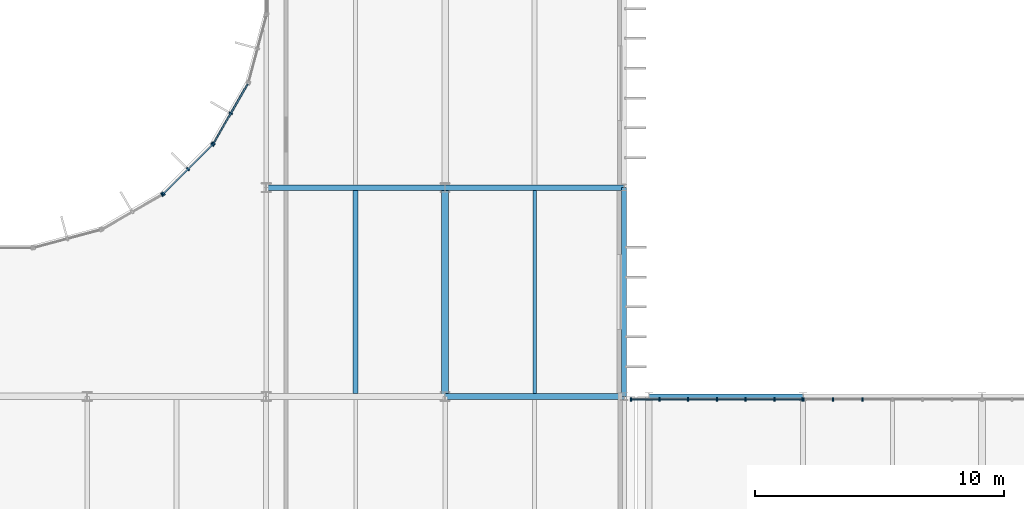
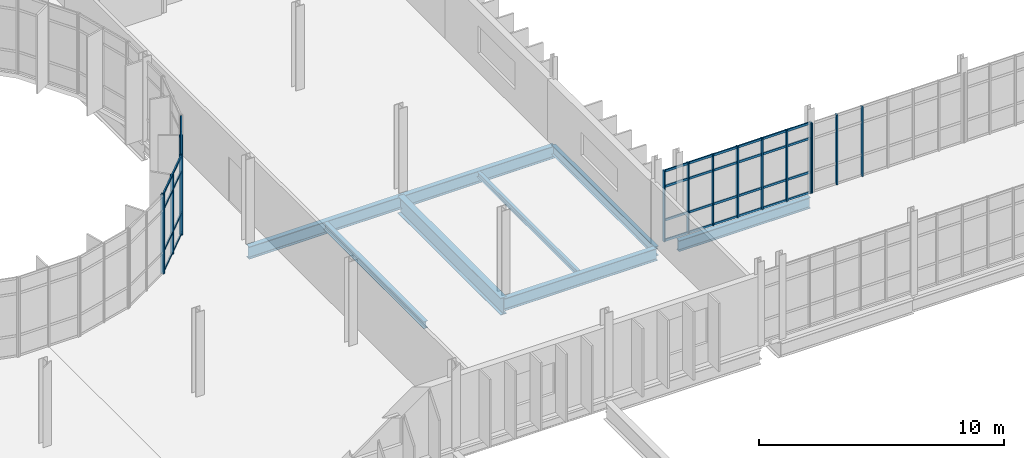
# One storey, part 47 of 119: 28 members, 8 beams, 5 elements without a shape of their own.
"""IFC4 building model written with IfcOpenShell, lengths in metres."""

from ifc_helpers import new_model, si_unit, direction, frame, origin, origin_2d, place, context, subcontext, project, spatial, rectangle, i_section, extrude, material, material_profile, profile_set, type_object, element, aggregate, save


model = new_model("IFC4")

# Units and contexts
model_context = context("Model", 3, precision=1e-05, world=origin(), true_north=direction((0.0, 1.0)))
body_context = subcontext(model_context, "Body", "Model", "MODEL_VIEW")
ifc_project = project(units=[si_unit("LENGTHUNIT", "METRE"), si_unit("AREAUNIT", "SQUARE_METRE"), si_unit("VOLUMEUNIT", "CUBIC_METRE"), si_unit("PLANEANGLEUNIT", "RADIAN"), si_unit("MASSUNIT", "GRAM", prefix="KILO")], contexts=[model_context])

# Site, building, storey
site_placement = place(None, origin())
site = spatial("IfcSite", under=ifc_project, at=site_placement, CompositionType="ELEMENT")
building_placement = place(site_placement, origin())
building = spatial("IfcBuilding", under=site, at=building_placement, Name="Qelthora Terrace Specialist Clinic", CompositionType="ELEMENT")
storey_placement = place(building_placement, frame((0.0, 0.0, 4.800048828125)))
storey = spatial("IfcBuildingStorey", under=building, at=storey_placement, Name="L01", CompositionType="ELEMENT", Elevation=4.800048828125)

# Beams
ifc_material_1 = material(Name="Steel S355", Category="steel")
ifc_material_profile_1 = material_profile(ifc_material_1, i_section(OverallWidth=0.193115234375, OverallDepth=0.466064453125, WebThickness=0.011474609375, FlangeThickness=0.01904296875, FilletRadius=0.012939453125, at=origin_2d()), Name="W460X97")
ifc_profile_set_1 = profile_set([ifc_material_profile_1], Name="Steel S355")
beam_type_1 = type_object("IfcBeamType", Name="BM-W460X97", PredefinedType="BEAM", material=ifc_profile_set_1)
beam_1_placement = place(storey_placement, frame((50.39990234375, 67.199951171875, -0.483154296875), z_axis=(0.0, 1.0, 0.0), x_axis=(-1.0, 0.0, 0.0)))
element("IfcBeam", 1, at=beam_1_placement, inside=storey, type_object=beam_type_1, Name="Girder BMY-L01-0417", PredefinedType="BEAM", context=body_context, shape_type="SweptSolid", body=[
    extrude(i_section(OverallWidth=0.193115234375, OverallDepth=0.466064453125, WebThickness=0.011474609375, FlangeThickness=0.01904296875, FilletRadius=0.012939453125, at=origin_2d()), origin(), (0.0, 0.0, 1.0), 8.400146484375),
])
ifc_material_profile_2 = material_profile(ifc_material_1, i_section(OverallWidth=0.2119140625, OverallDepth=0.5439453125, WebThickness=0.01318359375, FlangeThickness=0.021240234375, FilletRadius=0.013916015625, at=origin_2d()), Name="W530X123")
ifc_profile_set_2 = profile_set([ifc_material_profile_2], Name="Steel S355")
beam_type_2 = type_object("IfcBeamType", Name="BM-W530X123", PredefinedType="BEAM", material=ifc_profile_set_2)
beam_2_placement = place(storey_placement, frame((51.39990234375, 67.199951171875, -0.52197265625), z_axis=(1.0, 0.0, 0.0), x_axis=(0.0, 1.0, 0.0)))
element("IfcBeam", 2, at=beam_2_placement, inside=storey, type_object=beam_type_2, Name="Girder BMX-L01-0257", PredefinedType="BEAM", context=body_context, shape_type="SweptSolid", body=[
    extrude(i_section(OverallWidth=0.2119140625, OverallDepth=0.5439453125, WebThickness=0.01318359375, FlangeThickness=0.021240234375, FilletRadius=0.013916015625, at=origin_2d()), origin(), (0.0, 0.0, 1.0), 6.2001953125),
])
ifc_material_profile_3 = material_profile(ifc_material_1, i_section(OverallWidth=0.22900390625, OverallDepth=0.612060546875, WebThickness=0.011962890625, FlangeThickness=0.01953125, FilletRadius=0.01611328125, at=origin_2d()), Name="W610X125")
ifc_profile_set_3 = profile_set([ifc_material_profile_3], Name="Steel S355")
beam_type_3 = type_object("IfcBeamType", Name="BM-W610X125", PredefinedType="BEAM", material=ifc_profile_set_3)
for number, where, z_axis, x_axis, name in (
    (3, (43.199951171875, 67.199951171875, -0.55615234375), (1.0, 0.0, 0.0), (0.0, 1.0, 0.0), "Girder BMX-L01-0256"),
    (4, (43.199951171875, 75.60009765625, -0.55615234375), (1.0, 0.0, 0.0), (0.0, 1.0, 0.0), "Girder BMX-L01-0270"),
):
    element("IfcBeam", number, at=place(storey_placement, frame(where, z_axis=z_axis, x_axis=x_axis)), inside=storey, type_object=beam_type_3, Name=name, PredefinedType="BEAM", context=body_context, shape_type="SweptSolid", body=[
        extrude(i_section(OverallWidth=0.22900390625, OverallDepth=0.612060546875, WebThickness=0.011962890625, FlangeThickness=0.01953125, FilletRadius=0.01611328125, at=origin_2d()), origin(), (0.0, 0.0, 1.0), 7.199951171875),
    ])
ifc_material_profile_4 = material_profile(ifc_material_1, i_section(OverallWidth=0.22998046875, OverallDepth=0.616943359375, WebThickness=0.01318359375, FlangeThickness=0.022216796875, FilletRadius=0.01611328125, at=origin_2d()), Name="W610X140")
ifc_profile_set_4 = profile_set([ifc_material_profile_4], Name="Steel S355")
beam_type_4 = type_object("IfcBeamType", Name="BM-W610X140", PredefinedType="BEAM", material=ifc_profile_set_4)
beam_3_placement = place(storey_placement, frame((36.0, 75.60009765625, -0.55859375), z_axis=(1.0, 0.0, 0.0), x_axis=(0.0, 1.0, 0.0)))
element("IfcBeam", 5, at=beam_3_placement, inside=storey, type_object=beam_type_4, Name="Girder BMX-L01-0269", PredefinedType="BEAM", context=body_context, shape_type="SweptSolid", body=[
    extrude(i_section(OverallWidth=0.22998046875, OverallDepth=0.616943359375, WebThickness=0.01318359375, FlangeThickness=0.022216796875, FilletRadius=0.01611328125, at=origin_2d()), origin(), (0.0, 0.0, 1.0), 7.199951171875),
])
ifc_material_profile_5 = material_profile(ifc_material_1, i_section(OverallWidth=0.2939453125, OverallDepth=0.85107421875, WebThickness=0.01611328125, FlangeThickness=0.02685546875, FilletRadius=0.02001953125, at=origin_2d()), Name="W840X226")
ifc_profile_set_5 = profile_set([ifc_material_profile_5], Name="Steel S355")
beam_type_5 = type_object("IfcBeamType", Name="BM-W840X226", PredefinedType="BEAM", material=ifc_profile_set_5)
beam_4_placement = place(storey_placement, frame((43.199951171875, 67.199951171875, -0.675537109375), z_axis=(0.0, 1.0, 0.0), x_axis=(-1.0, 0.0, 0.0)))
element("IfcBeam", 6, at=beam_4_placement, inside=storey, type_object=beam_type_5, Name="Girder BMY-L01-0411", PredefinedType="BEAM", context=body_context, shape_type="SweptSolid", body=[
    extrude(i_section(OverallWidth=0.2939453125, OverallDepth=0.85107421875, WebThickness=0.01611328125, FlangeThickness=0.02685546875, FilletRadius=0.02001953125, at=origin_2d()), origin(), (0.0, 0.0, 1.0), 8.400146484375),
])

# Curtain wall, member
ifc_material_2 = material(Name="Aluminium anodized bronze", Category="aluminium")
curtain_wall_type_1 = type_object("IfcCurtainWallType", Name="CW-CRTW-UPP", PredefinedType="NOTDEFINED", material=ifc_material_2)
curtain_wall_1_placement = place(storey_placement, origin())
curtain_wall_1 = element("IfcCurtainWall", 7, at=curtain_wall_1_placement, inside=storey, type_object=curtain_wall_type_1, Name="Curtain wall CW-CW-L01-20", PredefinedType="NOTDEFINED")
ifc_material_profile_6 = material_profile(ifc_material_2, rectangle(XDim=0.06005859375, YDim=0.14990234375, at=origin_2d()), Name="CWM60X150")
ifc_profile_set_6 = profile_set([ifc_material_profile_6], Name="Aluminium anodized bronze")
member_type_1 = type_object("IfcMemberType", Name="CWM-60X150", PredefinedType="MULLION", material=ifc_profile_set_6)
member_1_placement = place(storey_placement, frame((31.8173828125, 75.31787109375, 0.0), z_axis=(0.0, 0.0, 1.0), x_axis=(0.866025635896, 0.499999597971, 0.0)))
member_1 = element("IfcMember", 8, at=member_1_placement, type_object=member_type_1, Name="CW-CW-L01-20 mullion 3", PredefinedType="MULLION", context=body_context, shape_type="SweptSolid", body=[
    extrude(rectangle(XDim=0.06005859375, YDim=0.14990234375, at=origin_2d()), origin(), (0.0, 0.0, 1.0), 3.945068359375),
])
aggregate(curtain_wall_1, [member_1])

# Curtain wall, members
curtain_wall_2_placement = place(storey_placement, origin())
curtain_wall_2 = element("IfcCurtainWall", 9, at=curtain_wall_2_placement, inside=storey, type_object=curtain_wall_type_1, Name="Curtain wall CW-CW-L01-21", PredefinedType="NOTDEFINED")
member_2_placement = place(storey_placement, frame((31.87353515625, 75.361083984375, 0.0), z_axis=(0.0, 0.0, 1.0), x_axis=(0.707106781187, 0.707106781187, 0.0)))
member_2 = element("IfcMember", 10, at=member_2_placement, type_object=member_type_1, Name="CW-CW-L01-21 mullion 1", PredefinedType="MULLION", context=body_context, shape_type="SweptSolid", body=[
    extrude(rectangle(XDim=0.06005859375, YDim=0.14990234375, at=origin_2d()), origin(), (0.0, 0.0, 1.0), 3.945068359375),
])
member_3_placement = place(storey_placement, frame((32.856201171875, 76.34375, 0.0), z_axis=(0.0, 0.0, 1.0), x_axis=(0.707106781187, 0.707106781187, 0.0)))
member_3 = element("IfcMember", 11, at=member_3_placement, type_object=member_type_1, Name="CW-CW-L01-21 mullion 2", PredefinedType="MULLION", context=body_context, shape_type="SweptSolid", body=[
    extrude(rectangle(XDim=0.06005859375, YDim=0.14990234375, at=origin_2d()), origin(), (0.0, 0.0, 1.0), 3.945068359375),
])
member_4_placement = place(storey_placement, frame((33.8388671875, 77.326416015625, 0.0), z_axis=(0.0, 0.0, 1.0), x_axis=(0.707106781187, 0.707106781187, 0.0)))
member_4 = element("IfcMember", 12, at=member_4_placement, type_object=member_type_1, Name="CW-CW-L01-21 mullion 3", PredefinedType="MULLION", context=body_context, shape_type="SweptSolid", body=[
    extrude(rectangle(XDim=0.06005859375, YDim=0.14990234375, at=origin_2d()), origin(), (0.0, 0.0, 1.0), 3.945068359375),
])

curtain_wall_3_placement = place(storey_placement, origin())
curtain_wall_3 = element("IfcCurtainWall", 13, at=curtain_wall_3_placement, inside=storey, type_object=curtain_wall_type_1, Name="Curtain wall CW-CW-L01-22", PredefinedType="NOTDEFINED")
member_5_placement = place(storey_placement, frame((33.882080078125, 77.3828125, 0.0), z_axis=(0.0, 0.0, 1.0), x_axis=(0.499999597971, 0.866025635896, 0.0)))
member_5 = element("IfcMember", 14, at=member_5_placement, type_object=member_type_1, Name="CW-CW-L01-22 mullion 1", PredefinedType="MULLION", context=body_context, shape_type="SweptSolid", body=[
    extrude(rectangle(XDim=0.06005859375, YDim=0.14990234375, at=origin_2d()), origin(), (0.0, 0.0, 1.0), 3.945068359375),
])
member_6_placement = place(storey_placement, frame((34.576904296875, 78.586181640625, 0.0), z_axis=(0.0, 0.0, 1.0), x_axis=(0.499999597971, 0.866025635896, 0.0)))
member_6 = element("IfcMember", 15, at=member_6_placement, type_object=member_type_1, Name="CW-CW-L01-22 mullion 2", PredefinedType="MULLION", context=body_context, shape_type="SweptSolid", body=[
    extrude(rectangle(XDim=0.06005859375, YDim=0.14990234375, at=origin_2d()), origin(), (0.0, 0.0, 1.0), 3.945068359375),
])

curtain_wall_type_2 = type_object("IfcCurtainWallType", Name="CW-BRG-L01", PredefinedType="NOTDEFINED", material=ifc_material_2)
curtain_wall_4_placement = place(storey_placement, origin())
curtain_wall_4 = element("IfcCurtainWall", 16, at=curtain_wall_4_placement, inside=storey, type_object=curtain_wall_type_2, Name="Curtain wall CW-L01-234", PredefinedType="NOTDEFINED")
member_7_placement = place(storey_placement, frame((50.679931640625, 67.080078125, 0.0), z_axis=(0.0, 0.0, 1.0), x_axis=(1.0, 0.0, 0.0)))
member_7 = element("IfcMember", 17, at=member_7_placement, type_object=member_type_1, Name="CW-L01-234 mullion 1", PredefinedType="MULLION", context=body_context, shape_type="SweptSolid", body=[
    extrude(rectangle(XDim=0.06005859375, YDim=0.14990234375, at=origin_2d()), origin(), (0.0, 0.0, 1.0), 3.529052734375),
])
member_8_placement = place(storey_placement, frame((51.816650390625, 67.080078125, 0.0), z_axis=(0.0, 0.0, 1.0), x_axis=(1.0, 0.0, 0.0)))
member_8 = element("IfcMember", 18, at=member_8_placement, type_object=member_type_1, Name="CW-L01-234 mullion 2", PredefinedType="MULLION", context=body_context, shape_type="SweptSolid", body=[
    extrude(rectangle(XDim=0.06005859375, YDim=0.14990234375, at=origin_2d()), origin(), (0.0, 0.0, 1.0), 3.529052734375),
])
member_9_placement = place(storey_placement, frame((52.973388671875, 67.080078125, 0.0), z_axis=(0.0, 0.0, 1.0), x_axis=(1.0, 0.0, 0.0)))
member_9 = element("IfcMember", 19, at=member_9_placement, type_object=member_type_1, Name="CW-L01-234 mullion 3", PredefinedType="MULLION", context=body_context, shape_type="SweptSolid", body=[
    extrude(rectangle(XDim=0.06005859375, YDim=0.14990234375, at=origin_2d()), origin(), (0.0, 0.0, 1.0), 3.529052734375),
])
member_10_placement = place(storey_placement, frame((54.1298828125, 67.080078125, 0.0), z_axis=(0.0, 0.0, 1.0), x_axis=(1.0, 0.0, 0.0)))
member_10 = element("IfcMember", 20, at=member_10_placement, type_object=member_type_1, Name="CW-L01-234 mullion 4", PredefinedType="MULLION", context=body_context, shape_type="SweptSolid", body=[
    extrude(rectangle(XDim=0.06005859375, YDim=0.14990234375, at=origin_2d()), origin(), (0.0, 0.0, 1.0), 3.529052734375),
])
member_11_placement = place(storey_placement, frame((55.28662109375, 67.080078125, 0.0), z_axis=(0.0, 0.0, 1.0), x_axis=(1.0, 0.0, 0.0)))
member_11 = element("IfcMember", 21, at=member_11_placement, type_object=member_type_1, Name="CW-L01-234 mullion 5", PredefinedType="MULLION", context=body_context, shape_type="SweptSolid", body=[
    extrude(rectangle(XDim=0.06005859375, YDim=0.14990234375, at=origin_2d()), origin(), (0.0, 0.0, 1.0), 3.529052734375),
])
member_12_placement = place(storey_placement, frame((56.443359375, 67.080078125, 0.0), z_axis=(0.0, 0.0, 1.0), x_axis=(1.0, 0.0, 0.0)))
member_12 = element("IfcMember", 22, at=member_12_placement, type_object=member_type_1, Name="CW-L01-234 mullion 6", PredefinedType="MULLION", context=body_context, shape_type="SweptSolid", body=[
    extrude(rectangle(XDim=0.06005859375, YDim=0.14990234375, at=origin_2d()), origin(), (0.0, 0.0, 1.0), 3.529052734375),
])
member_13_placement = place(storey_placement, frame((57.580078125, 67.080078125, 0.0), z_axis=(0.0, 0.0, 1.0), x_axis=(1.0, 0.0, 0.0)))
member_13 = element("IfcMember", 23, at=member_13_placement, type_object=member_type_1, Name="CW-L01-234 mullion 7", PredefinedType="MULLION", context=body_context, shape_type="SweptSolid", body=[
    extrude(rectangle(XDim=0.06005859375, YDim=0.14990234375, at=origin_2d()), origin(), (0.0, 0.0, 1.0), 3.529052734375),
])

curtain_wall_5_placement = place(storey_placement, origin())
curtain_wall_5 = element("IfcCurtainWall", 24, at=curtain_wall_5_placement, inside=storey, type_object=curtain_wall_type_2, Name="Curtain wall CW-L01-235", PredefinedType="NOTDEFINED")
member_14_placement = place(storey_placement, frame((57.6201171875, 67.080078125, 0.0), z_axis=(0.0, 0.0, 1.0), x_axis=(1.0, 0.0, 0.0)))
member_14 = element("IfcMember", 25, at=member_14_placement, type_object=member_type_1, Name="CW-L01-235 mullion 1", PredefinedType="MULLION", context=body_context, shape_type="SweptSolid", body=[
    extrude(rectangle(XDim=0.06005859375, YDim=0.14990234375, at=origin_2d()), origin(), (0.0, 0.0, 1.0), 3.48193359375),
])
member_15_placement = place(storey_placement, frame((58.800048828125, 67.080078125, 0.0), z_axis=(0.0, 0.0, 1.0), x_axis=(1.0, 0.0, 0.0)))
member_15 = element("IfcMember", 26, at=member_15_placement, type_object=member_type_1, Name="CW-L01-235 mullion 2", PredefinedType="MULLION", context=body_context, shape_type="SweptSolid", body=[
    extrude(rectangle(XDim=0.06005859375, YDim=0.14990234375, at=origin_2d()), origin(), (0.0, 0.0, 1.0), 3.48193359375),
])
member_16_placement = place(storey_placement, frame((60.0, 67.080078125, 0.0), z_axis=(0.0, 0.0, 1.0), x_axis=(1.0, 0.0, 0.0)))
member_16 = element("IfcMember", 27, at=member_16_placement, type_object=member_type_1, Name="CW-L01-235 mullion 3", PredefinedType="MULLION", context=body_context, shape_type="SweptSolid", body=[
    extrude(rectangle(XDim=0.06005859375, YDim=0.14990234375, at=origin_2d()), origin(), (0.0, 0.0, 1.0), 3.48193359375),
])
aggregate(curtain_wall_5, [member_14, member_15, member_16])

# Member
ifc_material_profile_7 = material_profile(ifc_material_2, rectangle(XDim=0.06005859375, YDim=0.110107421875, at=origin_2d()), Name="CWT60X110")
ifc_profile_set_7 = profile_set([ifc_material_profile_7], Name="Aluminium anodized bronze")
member_type_2 = type_object("IfcMemberType", Name="CWT-60X110", PredefinedType="USERDEFINED", material=ifc_profile_set_7)
member_17_placement = place(storey_placement, frame((31.8876953125, 75.375244140625, 0.0400390625), z_axis=(0.707106781187, 0.707106781187, 0.0), x_axis=(-0.707106781187, 0.707106781187, 0.0)))
member_17 = element("IfcMember", 28, at=member_17_placement, type_object=member_type_2, Name="CW-CW-L01-21 transom 1", ObjectType="TRANSOM", PredefinedType="USERDEFINED", context=body_context, shape_type="SweptSolid", body=[
    extrude(rectangle(XDim=0.06005859375, YDim=0.110107421875, at=origin_2d()), origin(), (0.0, 0.0, 1.0), 2.7392578125),
])

member_18_placement = place(storey_placement, frame((31.8876953125, 75.375244140625, 1.050048828125), z_axis=(0.707106781187, 0.707106781187, 0.0), x_axis=(-0.707106781187, 0.707106781187, 0.0)))
member_18 = element("IfcMember", 29, at=member_18_placement, type_object=member_type_2, Name="CW-CW-L01-21 transom 2", ObjectType="TRANSOM", PredefinedType="USERDEFINED", context=body_context, shape_type="SweptSolid", body=[
    extrude(rectangle(XDim=0.06005859375, YDim=0.110107421875, at=origin_2d()), origin(), (0.0, 0.0, 1.0), 2.7392578125),
])

member_19_placement = place(storey_placement, frame((31.8876953125, 75.375244140625, 3.14501953125), z_axis=(0.707106781187, 0.707106781187, 0.0), x_axis=(-0.707106781187, 0.707106781187, 0.0)))
member_19 = element("IfcMember", 30, at=member_19_placement, type_object=member_type_2, Name="CW-CW-L01-21 transom 3", ObjectType="TRANSOM", PredefinedType="USERDEFINED", context=body_context, shape_type="SweptSolid", body=[
    extrude(rectangle(XDim=0.06005859375, YDim=0.110107421875, at=origin_2d()), origin(), (0.0, 0.0, 1.0), 2.7392578125),
])

member_20_placement = place(storey_placement, frame((31.8876953125, 75.375244140625, 3.905029296875), z_axis=(0.707106781187, 0.707106781187, 0.0), x_axis=(-0.707106781187, 0.707106781187, 0.0)))
member_20 = element("IfcMember", 31, at=member_20_placement, type_object=member_type_2, Name="CW-CW-L01-21 transom 4", ObjectType="TRANSOM", PredefinedType="USERDEFINED", context=body_context, shape_type="SweptSolid", body=[
    extrude(rectangle(XDim=0.06005859375, YDim=0.110107421875, at=origin_2d()), origin(), (0.0, 0.0, 1.0), 2.7392578125),
])

aggregate(curtain_wall_2, [member_2, member_3, member_4, member_17, member_18, member_19, member_20])

member_21_placement = place(storey_placement, frame((33.89208984375, 77.39990234375, 0.0400390625), z_axis=(0.499953886166, 0.866052025982, 0.0), x_axis=(-0.866052025982, 0.499953886166, 0.0)))
member_21 = element("IfcMember", 32, at=member_21_placement, type_object=member_type_2, Name="CW-CW-L01-22 transom 1", ObjectType="TRANSOM", PredefinedType="USERDEFINED", context=body_context, shape_type="SweptSolid", body=[
    extrude(rectangle(XDim=0.06005859375, YDim=0.110107421875, at=origin_2d()), origin(), (0.0, 0.0, 1.0), 2.739501953125),
])

member_22_placement = place(storey_placement, frame((33.89208984375, 77.39990234375, 1.050048828125), z_axis=(0.499953886166, 0.866052025982, 0.0), x_axis=(-0.866052025982, 0.499953886166, 0.0)))
member_22 = element("IfcMember", 33, at=member_22_placement, type_object=member_type_2, Name="CW-CW-L01-22 transom 2", ObjectType="TRANSOM", PredefinedType="USERDEFINED", context=body_context, shape_type="SweptSolid", body=[
    extrude(rectangle(XDim=0.06005859375, YDim=0.110107421875, at=origin_2d()), origin(), (0.0, 0.0, 1.0), 2.739501953125),
])

member_23_placement = place(storey_placement, frame((33.89208984375, 77.39990234375, 3.14501953125), z_axis=(0.499953886166, 0.866052025982, 0.0), x_axis=(-0.866052025982, 0.499953886166, 0.0)))
member_23 = element("IfcMember", 34, at=member_23_placement, type_object=member_type_2, Name="CW-CW-L01-22 transom 3", ObjectType="TRANSOM", PredefinedType="USERDEFINED", context=body_context, shape_type="SweptSolid", body=[
    extrude(rectangle(XDim=0.06005859375, YDim=0.110107421875, at=origin_2d()), origin(), (0.0, 0.0, 1.0), 2.739501953125),
])

member_24_placement = place(storey_placement, frame((33.89208984375, 77.39990234375, 3.905029296875), z_axis=(0.499953886166, 0.866052025982, 0.0), x_axis=(-0.866052025982, 0.499953886166, 0.0)))
member_24 = element("IfcMember", 35, at=member_24_placement, type_object=member_type_2, Name="CW-CW-L01-22 transom 4", ObjectType="TRANSOM", PredefinedType="USERDEFINED", context=body_context, shape_type="SweptSolid", body=[
    extrude(rectangle(XDim=0.06005859375, YDim=0.110107421875, at=origin_2d()), origin(), (0.0, 0.0, 1.0), 2.739501953125),
])

aggregate(curtain_wall_3, [member_5, member_6, member_21, member_22, member_23, member_24])

member_25_placement = place(storey_placement, frame((50.699951171875, 67.080078125, 0.0400390625), z_axis=(1.0, 0.0, 0.0), x_axis=(0.0, 1.0, 0.0)))
member_25 = element("IfcMember", 36, at=member_25_placement, type_object=member_type_2, Name="CW-L01-234 transom 1", ObjectType="TRANSOM", PredefinedType="USERDEFINED", context=body_context, shape_type="SweptSolid", body=[
    extrude(rectangle(XDim=0.06005859375, YDim=0.110107421875, at=origin_2d()), origin(), (0.0, 0.0, 1.0), 6.860107421875),
])

member_26_placement = place(storey_placement, frame((50.699951171875, 67.080078125, 1.050048828125), z_axis=(1.0, 0.0, 0.0), x_axis=(0.0, 1.0, 0.0)))
member_26 = element("IfcMember", 37, at=member_26_placement, type_object=member_type_2, Name="CW-L01-234 transom 2", ObjectType="TRANSOM", PredefinedType="USERDEFINED", context=body_context, shape_type="SweptSolid", body=[
    extrude(rectangle(XDim=0.06005859375, YDim=0.110107421875, at=origin_2d()), origin(), (0.0, 0.0, 1.0), 6.860107421875),
])

member_27_placement = place(storey_placement, frame((50.699951171875, 67.080078125, 2.72900390625), z_axis=(1.0, 0.0, 0.0), x_axis=(0.0, 1.0, 0.0)))
member_27 = element("IfcMember", 38, at=member_27_placement, type_object=member_type_2, Name="CW-L01-234 transom 3", ObjectType="TRANSOM", PredefinedType="USERDEFINED", context=body_context, shape_type="SweptSolid", body=[
    extrude(rectangle(XDim=0.06005859375, YDim=0.110107421875, at=origin_2d()), origin(), (0.0, 0.0, 1.0), 6.860107421875),
])

member_28_placement = place(storey_placement, frame((50.699951171875, 67.080078125, 3.489013671875), z_axis=(1.0, 0.0, 0.0), x_axis=(0.0, 1.0, 0.0)))
member_28 = element("IfcMember", 39, at=member_28_placement, type_object=member_type_2, Name="CW-L01-234 transom 4", ObjectType="TRANSOM", PredefinedType="USERDEFINED", context=body_context, shape_type="SweptSolid", body=[
    extrude(rectangle(XDim=0.06005859375, YDim=0.110107421875, at=origin_2d()), origin(), (0.0, 0.0, 1.0), 6.860107421875),
])

aggregate(curtain_wall_4, [member_7, member_8, member_9, member_10, member_11, member_12, member_13, member_25, member_26, member_27, member_28])

# Beams
ifc_material_profile_8 = material_profile(ifc_material_1, i_section(OverallWidth=0.14599609375, OverallDepth=0.258056640625, WebThickness=0.006103515625, FlangeThickness=0.009033203125, FilletRadius=0.009033203125, at=origin_2d()), Name="W250X33")
ifc_profile_set_8 = profile_set([ifc_material_profile_8], Name="Steel S355")
beam_type_6 = type_object("IfcBeamType", Name="JST-W250X33", PredefinedType="JOIST", material=ifc_profile_set_8)
beam_5_placement = place(storey_placement, frame((46.800048828125, 67.314453125, -0.379150390625), z_axis=(0.0, 1.0, 0.0), x_axis=(-1.0, 0.0, 0.0)))
element("IfcBeam", 40, at=beam_5_placement, inside=storey, type_object=beam_type_6, Name="Composite floor joist JST-L01-0084", PredefinedType="JOIST", context=body_context, shape_type="SweptSolid", body=[
    extrude(i_section(OverallWidth=0.14599609375, OverallDepth=0.258056640625, WebThickness=0.006103515625, FlangeThickness=0.009033203125, FilletRadius=0.009033203125, at=origin_2d()), origin(), (0.0, 0.0, 1.0), 8.171142578125),
])
ifc_material_profile_9 = material_profile(ifc_material_1, i_section(OverallWidth=0.202880859375, OverallDepth=0.346923828125, WebThickness=0.0078125, FlangeThickness=0.013427734375, FilletRadius=0.010986328125, at=origin_2d()), Name="W360X64")
ifc_profile_set_9 = profile_set([ifc_material_profile_9], Name="Steel S355")
beam_type_7 = type_object("IfcBeamType", Name="JST-W360X64", PredefinedType="JOIST", material=ifc_profile_set_9)
beam_6_placement = place(storey_placement, frame((39.60009765625, 67.31494140625, -0.423583984375), z_axis=(0.0, 1.0, 0.0), x_axis=(-1.0, 0.0, 0.0)))
element("IfcBeam", 41, at=beam_6_placement, inside=storey, type_object=beam_type_7, Name="Composite floor joist JST-L01-0079", PredefinedType="JOIST", context=body_context, shape_type="SweptSolid", body=[
    extrude(i_section(OverallWidth=0.202880859375, OverallDepth=0.346923828125, WebThickness=0.0078125, FlangeThickness=0.013427734375, FilletRadius=0.010986328125, at=origin_2d()), origin(), (0.0, 0.0, 1.0), 8.170166015625),
])

save(model, "model.ifc")
